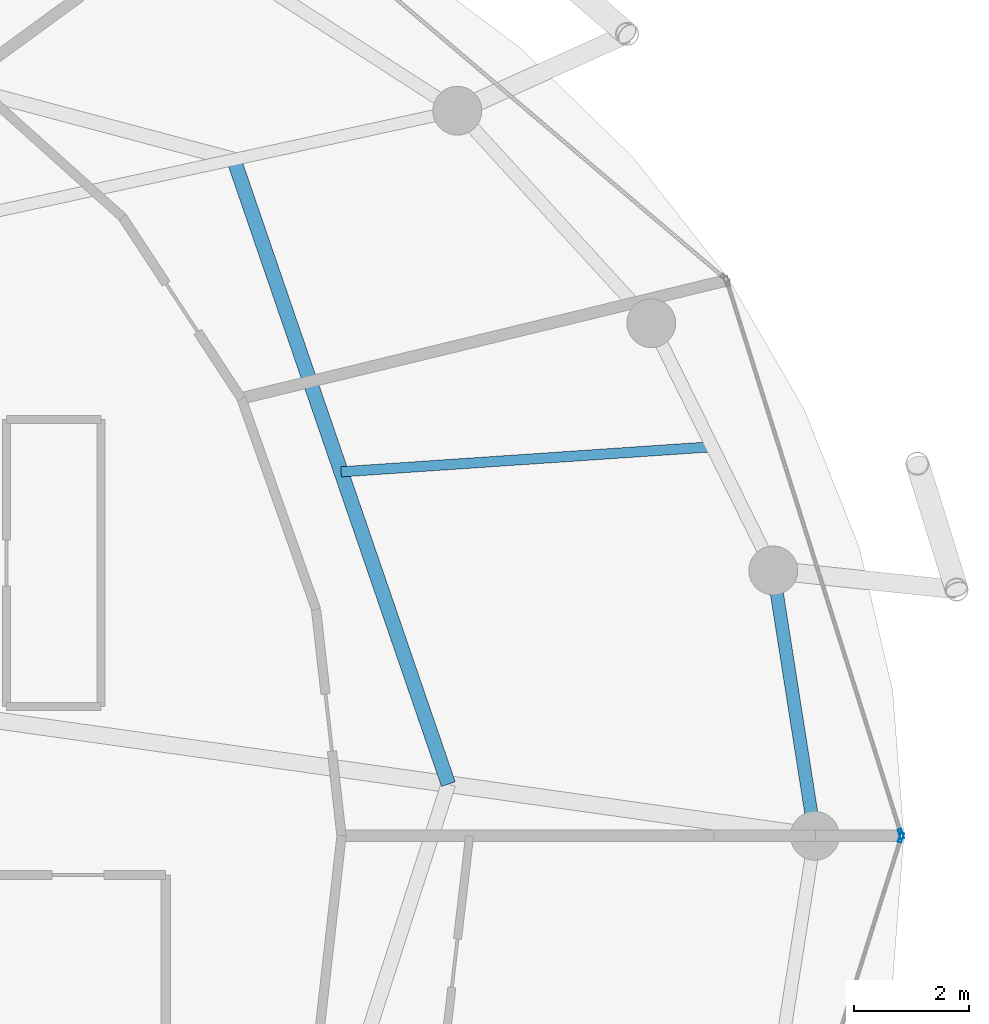
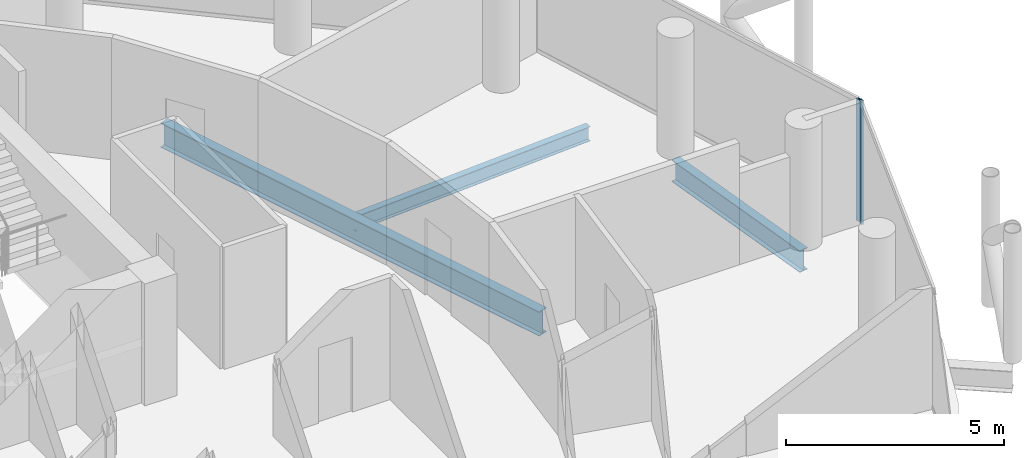
# One storey, part 15 of 27: 3 beams, 2 members, 2 elements without a shape of their own.
"""IFC4 building model written with IfcOpenShell, lengths in metres."""

from ifc_helpers import new_model, si_unit, direction, frame, origin, origin_2d, place, context, subcontext, project, spatial, hollow_rectangle, i_section, extrude, material, layer, layer_set, material_profile, profile_set, type_object, element, aggregate, save


model = new_model("IFC4")

# Units and contexts
model_context = context("Model", 3, precision=1e-05, world=origin(), true_north=direction((0.0, 1.0)))
body_context = subcontext(model_context, "Body", "Model", "MODEL_VIEW")
ifc_project = project(units=[si_unit("LENGTHUNIT", "METRE"), si_unit("AREAUNIT", "SQUARE_METRE"), si_unit("VOLUMEUNIT", "CUBIC_METRE"), si_unit("PLANEANGLEUNIT", "RADIAN"), si_unit("MASSUNIT", "GRAM", prefix="KILO")], contexts=[model_context])

# Site, building, storey
site_placement = place(None, origin())
site = spatial("IfcSite", under=ifc_project, at=site_placement, CompositionType="ELEMENT")
building_placement = place(site_placement, origin())
building = spatial("IfcBuilding", under=site, at=building_placement, Name="Nuhasar Tower", CompositionType="ELEMENT")
storey_placement = place(building_placement, frame((0.0, 0.0, 219.10009765625)))
storey = spatial("IfcBuildingStorey", under=building, at=storey_placement, Name="L53", CompositionType="ELEMENT", Elevation=219.10009765625)

# Beams
ifc_material_1 = material(Name="Steel S355", Category="steel")
ifc_material_profile_1 = material_profile(ifc_material_1, i_section(OverallWidth=0.25390625, OverallDepth=0.68408203125, WebThickness=0.012451171875, FlangeThickness=0.018798828125, at=origin_2d()), Name="W27X94")
ifc_profile_set_1 = profile_set([ifc_material_profile_1], Name="Steel S355")
beam_type_1 = type_object("IfcBeamType", Name="BM-INRING-W27X94", PredefinedType="BEAM", material=ifc_profile_set_1)
beam_1_placement = place(storey_placement, frame((53.8701171875, 27.699951171875, -0.58203125), z_axis=(-0.324809117642, 0.945779592239, 0.0), x_axis=(-0.945779592239, -0.324809117642, 0.0)))
element("IfcBeam", 1, at=beam_1_placement, inside=storey, type_object=beam_type_1, Name="L53 Inner Header Beam 04", PredefinedType="BEAM", context=body_context, shape_type="SweptSolid", body=[
    extrude(i_section(OverallWidth=0.25390625, OverallDepth=0.68408203125, WebThickness=0.012451171875, FlangeThickness=0.018798828125, at=origin_2d()), origin(), (0.0, 0.0, 1.0), 11.496337890625),
])
ifc_material_profile_2 = material_profile(ifc_material_1, i_section(OverallWidth=0.177978515625, OverallDepth=0.406005859375, WebThickness=0.0078125, FlangeThickness=0.0126953125, at=origin_2d()), Name="W16X40")
ifc_profile_set_2 = profile_set([ifc_material_profile_2], Name="Steel S355")
beam_type_2 = type_object("IfcBeamType", Name="BM-JST-W16X40", PredefinedType="JOIST", material=ifc_profile_set_2)
beam_2_placement = place(storey_placement, frame((52.0029296875, 33.135986328125, -0.443115234375), z_axis=(0.997721156568, 0.067472170095, 0.0), x_axis=(-0.067472170095, 0.997721156568, 0.0)))
element("IfcBeam", 2, at=beam_2_placement, inside=storey, type_object=beam_type_2, Name="L53 Secondary Floor Joist 04", PredefinedType="JOIST", context=body_context, shape_type="SweptSolid", body=[
    extrude(i_section(OverallWidth=0.177978515625, OverallDepth=0.406005859375, WebThickness=0.0078125, FlangeThickness=0.0126953125, at=origin_2d()), origin(), (0.0, 0.0, 1.0), 6.476806640625),
])
ifc_material_profile_3 = material_profile(ifc_material_1, i_section(OverallWidth=0.22802734375, OverallDepth=0.60791015625, WebThickness=0.01123046875, FlangeThickness=0.017333984375, at=origin_2d()), Name="W24X76")
ifc_profile_set_3 = profile_set([ifc_material_profile_3], Name="Steel S355")
beam_type_3 = type_object("IfcBeamType", Name="BM-RING-W24X76", PredefinedType="SPANDREL", material=ifc_profile_set_3)
beam_3_placement = place(storey_placement, frame((60.25, 26.800048828125, -0.544189453125), z_axis=(-0.154849872935, 0.987938012657, 0.0), x_axis=(-0.987938012657, -0.154849872935, 0.0)))
element("IfcBeam", 3, at=beam_3_placement, inside=storey, type_object=beam_type_3, Name="L53 Perimeter Ring Spandrel 01", PredefinedType="SPANDREL", context=body_context, shape_type="SweptSolid", body=[
    extrude(i_section(OverallWidth=0.22802734375, OverallDepth=0.60791015625, WebThickness=0.01123046875, FlangeThickness=0.017333984375, at=origin_2d()), origin(), (0.0, 0.0, 1.0), 4.67626953125),
])

# Curtain wall, member
ifc_material_2 = material(Name="Aluminium 6063-T6", Category="aluminium")
ifc_layer = layer(ifc_material_2, 0.18994140625)
ifc_layer_set = layer_set([ifc_layer], Name="Aluminium 6063-T6")
curtain_wall_type = type_object("IfcCurtainWallType", Name="CW-Z3-RES", PredefinedType="NOTDEFINED", material=ifc_layer_set)
curtain_wall_1_placement = place(storey_placement, origin())
curtain_wall_1 = element("IfcCurtainWall", 4, at=curtain_wall_1_placement, inside=storey, type_object=curtain_wall_type, Name="L53 Unitised Curtain Wall 01", PredefinedType="NOTDEFINED")
ifc_material_profile_4 = material_profile(ifc_material_2, hollow_rectangle(XDim=0.06494140625, YDim=0.169921875, WallThickness=0.0048828125, at=origin_2d()), Name="CWM-4")
ifc_profile_set_4 = profile_set([ifc_material_profile_4], Name="Aluminium 6063-T6")
member_type = type_object("IfcMemberType", Name="CW-MUL-S4", PredefinedType="MULLION", material=ifc_profile_set_4)
member_1_placement = place(storey_placement, frame((61.750244140625, 26.8310546875, 0.0), z_axis=(0.0, 0.0, 1.0), x_axis=(-0.95380429279, -0.30042864553, 0.0)))
member_1 = element("IfcMember", 5, at=member_1_placement, type_object=member_type, Name="CW-Z3 mullion 1", PredefinedType="MULLION", context=body_context, shape_type="SweptSolid", body=[
    extrude(hollow_rectangle(XDim=0.06494140625, YDim=0.169921875, WallThickness=0.0048828125, at=origin_2d()), origin(), (0.0, 0.0, 1.0), 3.409912109375),
])
aggregate(curtain_wall_1, [member_1])

curtain_wall_2_placement = place(storey_placement, origin())
curtain_wall_2 = element("IfcCurtainWall", 6, at=curtain_wall_2_placement, inside=storey, type_object=curtain_wall_type, Name="L53 Unitised Curtain Wall 12", PredefinedType="NOTDEFINED")
member_2_placement = place(storey_placement, frame((61.750244140625, 26.76904296875, 0.0), z_axis=(0.0, 0.0, 1.0), x_axis=(-0.95380429279, 0.30042864553, 0.0)))
member_2 = element("IfcMember", 7, at=member_2_placement, type_object=member_type, Name="CW-Z3 mullion 2", PredefinedType="MULLION", context=body_context, shape_type="SweptSolid", body=[
    extrude(hollow_rectangle(XDim=0.06494140625, YDim=0.169921875, WallThickness=0.0048828125, at=origin_2d()), origin(), (0.0, 0.0, 1.0), 3.409912109375),
])
aggregate(curtain_wall_2, [member_2])

save(model, "model.ifc")
